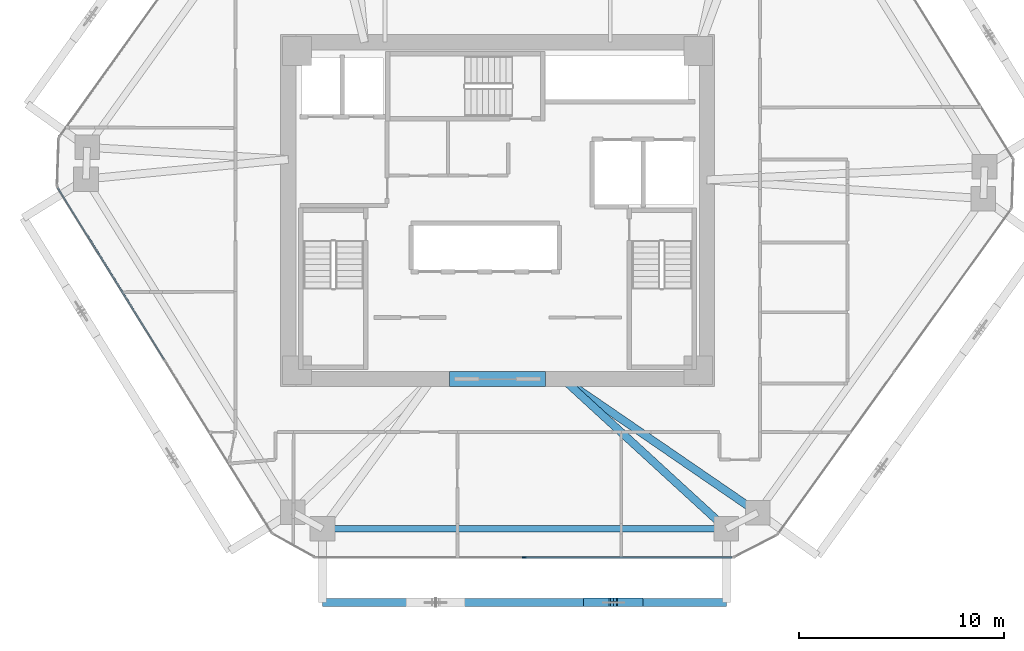
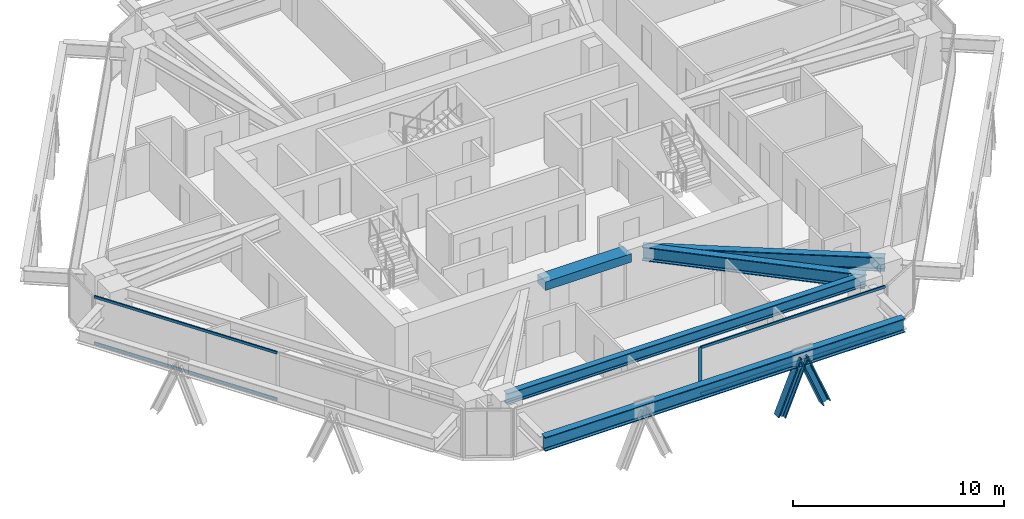
# One storey, part 3 of 17: 7 members, 5 beams, 2 elements without a shape of their own.
"""IFC4 building model written with IfcOpenShell, lengths in metres."""

from ifc_helpers import new_model, si_unit, direction, frame, origin, origin_2d, place, context, subcontext, project, spatial, rectangle, i_section, extrude, source, transform, mapped, material, layer, layer_set, material_profile, profile_set, type_object, type_shapes, element, aggregate, save


model = new_model("IFC4")

# Units and contexts
model_context = context("Model", 3, precision=1e-05, world=origin(), true_north=direction((0.0, 1.0)))
body_context = subcontext(model_context, "Body", "Model", "MODEL_VIEW")
ifc_project = project(units=[si_unit("LENGTHUNIT", "METRE"), si_unit("AREAUNIT", "SQUARE_METRE"), si_unit("VOLUMEUNIT", "CUBIC_METRE"), si_unit("PLANEANGLEUNIT", "RADIAN"), si_unit("MASSUNIT", "GRAM", prefix="KILO")], contexts=[model_context])

# Site, building, storey
site_placement = place(None, origin())
site = spatial("IfcSite", under=ifc_project, at=site_placement, CompositionType="ELEMENT")
building_placement = place(site_placement, origin())
building = spatial("IfcBuilding", under=site, at=building_placement, Name="Durnholm Broadcast Tower", CompositionType="ELEMENT")
storey_placement = place(building_placement, frame((0.0, 0.0, 143.10009765625)))
storey = spatial("IfcBuildingStorey", under=building, at=storey_placement, Name="L39", CompositionType="ELEMENT", Elevation=143.10009765625)

# Beams
ifc_material_1 = material(Name="Concrete C70/85", Category="concrete")
ifc_material_profile_1 = material_profile(ifc_material_1, rectangle(XDim=0.75, YDim=0.5, at=origin_2d()), Name="RC750X500")
ifc_profile_set_1 = profile_set([ifc_material_profile_1], Name="Concrete C70/85")
beam_type_1 = type_object("IfcBeamType", Name="BM-CB-RC500", PredefinedType="LINTEL", material=ifc_profile_set_1)
shared_shape_1 = source(origin(), body_context, "Body", "SweptSolid", [
    extrude(rectangle(XDim=0.75, YDim=0.5, at=origin_2d()), origin(), (0.0, 0.0, 1.0), 4.7001953125),
])
type_shapes(beam_type_1, [shared_shape_1])
beam_1_placement = place(storey_placement, frame((-2.35009765625, -8.22509765625, 2.5048828125), z_axis=(1.0, 0.0, 0.0), x_axis=(0.0, 1.0, 0.0)))
element("IfcBeam", 1, at=beam_1_placement, inside=storey, type_object=beam_type_1, Name="L39 south core coupling lintel beam CB-S", PredefinedType="LINTEL", context=body_context, shape_type="MappedRepresentation", body=[
    mapped(shared_shape_1, transform((0.0, 0.0, 0.0), x_axis=(1.0, 0.0, 0.0), y_axis=(0.0, 1.0, 0.0), z_axis=(0.0, 0.0, 1.0), scale=1.0)),
])
ifc_material_2 = material(Name="Steel ASTM A992 Grade 50", Category="steel")
ifc_material_profile_2 = material_profile(ifc_material_2, i_section(OverallWidth=0.3291015625, OverallDepth=0.635009765625, WebThickness=0.017822265625, FlangeThickness=0.031005859375, FilletRadius=0.02783203125, at=origin_2d()), Name="W24X162")
ifc_profile_set_2 = profile_set([ifc_material_profile_2], Name="Steel ASTM A992 Grade 50")
beam_type_2 = type_object("IfcBeamType", Name="STL-SP-W24X162", PredefinedType="SPANDREL", material=ifc_profile_set_2)
shared_shape_2 = source(origin(), body_context, "Body", "SweptSolid", [
    extrude(i_section(OverallWidth=0.3291015625, OverallDepth=0.635009765625, WebThickness=0.017822265625, FlangeThickness=0.031005859375, FilletRadius=0.02783203125, at=origin_2d()), origin(), (0.0, 0.0, 1.0), 19.72802734375),
])
type_shapes(beam_type_2, [shared_shape_2])
beam_2_placement = place(storey_placement, frame((11.176025390625, -15.537109375, 2.427490234375), z_axis=(-1.0, 0.0, 0.0), x_axis=(0.0, -1.0, 0.0)))
element("IfcBeam", 2, at=beam_2_placement, inside=storey, type_object=beam_type_2, Name="L39 perimeter spandrel girder 11", PredefinedType="SPANDREL", context=body_context, shape_type="MappedRepresentation", body=[
    mapped(shared_shape_2, transform((0.0, 0.0, 0.0), x_axis=(1.0, 0.0, 0.0), y_axis=(0.0, 1.0, 0.0), z_axis=(0.0, 0.0, 1.0), scale=1.0)),
])
ifc_material_profile_3 = material_profile(ifc_material_2, i_section(OverallWidth=0.385009765625, OverallDepth=0.802978515625, WebThickness=0.023681640625, FlangeThickness=0.0419921875, FilletRadius=0.032958984375, at=origin_2d()), Name="W30X261")
ifc_profile_set_3 = profile_set([ifc_material_profile_3], Name="Steel ASTM A992 Grade 50")
beam_type_3 = type_object("IfcBeamType", Name="STL-GR-W30X261", PredefinedType="USERDEFINED", material=ifc_profile_set_3)
shared_shape_3 = source(origin(), body_context, "Body", "SweptSolid", [
    extrude(i_section(OverallWidth=0.385009765625, OverallDepth=0.802978515625, WebThickness=0.023681640625, FlangeThickness=0.0419921875, FilletRadius=0.032958984375, at=origin_2d()), origin(), (0.0, 0.0, 1.0), 11.533447265625),
])
beam_3_placement = place(storey_placement, frame((3.199951171875, -8.22509765625, 2.343505859375), z_axis=(0.824567182461, -0.565764051181, 0.0), x_axis=(0.565764051181, 0.824567182461, 0.0)))
element("IfcBeam", 3, at=beam_3_placement, inside=storey, type_object=beam_type_3, Name="L39 radial primary floor girder 10", ObjectType="GIRDER", PredefinedType="USERDEFINED", context=body_context, shape_type="MappedRepresentation", body=[
    mapped(shared_shape_3, transform((0.0, 0.0, 0.0), x_axis=(1.0, 0.0, 0.0), y_axis=(0.0, 1.0, 0.0), z_axis=(0.0, 0.0, 1.0), scale=1.0)),
])
shared_shape_4 = source(origin(), body_context, "Body", "SweptSolid", [
    extrude(i_section(OverallWidth=0.385009765625, OverallDepth=0.802978515625, WebThickness=0.023681640625, FlangeThickness=0.0419921875, FilletRadius=0.032958984375, at=origin_2d()), origin(), (0.0, 0.0, 1.0), 10.820556640625),
])
type_shapes(beam_type_3, [shared_shape_3, shared_shape_4])
beam_4_placement = place(storey_placement, frame((3.199951171875, -8.22509765625, 2.343505859375), z_axis=(0.737126042516, -0.675755279258, 0.0), x_axis=(0.675755279258, 0.737126042516, 0.0)))
element("IfcBeam", 4, at=beam_4_placement, inside=storey, type_object=beam_type_3, Name="L39 radial primary floor girder 11", ObjectType="GIRDER", PredefinedType="USERDEFINED", context=body_context, shape_type="MappedRepresentation", body=[
    mapped(shared_shape_4, transform((0.0, 0.0, 0.0), x_axis=(1.0, 0.0, 0.0), y_axis=(0.0, 1.0, 0.0), z_axis=(0.0, 0.0, 1.0), scale=1.0)),
])
ifc_material_profile_4 = material_profile(ifc_material_2, i_section(OverallWidth=0.385009765625, OverallDepth=0.802978515625, WebThickness=0.023681640625, FlangeThickness=0.0419921875, FilletRadius=0.032958984375, at=origin_2d()), Name="W30X261")
ifc_profile_set_4 = profile_set([ifc_material_profile_4], Name="Steel ASTM A992 Grade 50")
beam_type_4 = type_object("IfcBeamType", Name="BM-EXO-TIE", PredefinedType="USERDEFINED", material=ifc_profile_set_4)
shared_shape_5 = source(origin(), body_context, "Body", "SweptSolid", [
    extrude(i_section(OverallWidth=0.385009765625, OverallDepth=0.802978515625, WebThickness=0.023681640625, FlangeThickness=0.0419921875, FilletRadius=0.032958984375, at=origin_2d()), origin(), (0.0, 0.0, 1.0), 19.72802734375),
])
type_shapes(beam_type_4, [shared_shape_5])
beam_5_placement = place(storey_placement, frame((-8.552001953125, -19.136962890625, 2.008544921875), z_axis=(1.0, 0.0, 0.0), x_axis=(0.0, 1.0, 0.0)))
element("IfcBeam", 5, at=beam_5_placement, inside=storey, type_object=beam_type_4, Name="L39 exoskeleton collector spandrel F1", PredefinedType="SPANDREL", context=body_context, shape_type="MappedRepresentation", body=[
    mapped(shared_shape_5, transform((0.0, 0.0, 0.0), x_axis=(1.0, 0.0, 0.0), y_axis=(0.0, 1.0, 0.0), z_axis=(0.0, 0.0, 1.0), scale=1.0)),
])

# Members
ifc_material_3 = material(Name="Steel ASTM A913 Grade 65", Category="steel")
ifc_material_profile_5 = material_profile(ifc_material_3, i_section(OverallWidth=0.41845703125, OverallDepth=0.455078125, WebThickness=0.0419921875, FlangeThickness=0.067626953125, FilletRadius=0.030517578125, at=origin_2d()), Name="W14X370")
ifc_profile_set_5 = profile_set([ifc_material_profile_5], Name="Steel ASTM A913 Grade 65")
member_type_1 = type_object("IfcMemberType", Name="STL-DG-W14X370", PredefinedType="BRACE", material=ifc_profile_set_5)
shared_shape_6 = source(origin(), body_context, "Body", "SweptSolid", [
    extrude(i_section(OverallWidth=0.41845703125, OverallDepth=0.455078125, WebThickness=0.0419921875, FlangeThickness=0.067626953125, FilletRadius=0.030517578125, at=origin_2d()), origin(), (0.0, 0.0, 1.0), 3.243896484375),
])
member_1_placement = place(storey_placement, frame((4.41845703125, -19.136962890625, -0.991455078125), z_axis=(0.380378804119, 0.0, 0.924830776616), x_axis=(0.0, 1.0, 0.0)))
element("IfcMember", 6, at=member_1_placement, inside=storey, type_object=member_type_1, Name="L39 stand-off diagrid brace F1.D2.1", PredefinedType="BRACE", context=body_context, shape_type="MappedRepresentation", body=[
    mapped(shared_shape_6, transform((0.0, 0.0, 0.0), x_axis=(1.0, 0.0, 0.0), y_axis=(0.0, 1.0, 0.0), z_axis=(0.0, 0.0, 1.0), scale=1.0)),
])
shared_shape_7 = source(origin(), body_context, "Body", "SweptSolid", [
    extrude(i_section(OverallWidth=0.41845703125, OverallDepth=0.455078125, WebThickness=0.0419921875, FlangeThickness=0.067626953125, FilletRadius=0.030517578125, at=origin_2d()), origin(), (0.0, 0.0, 1.0), 3.24365234375),
])
type_shapes(member_type_1, [shared_shape_6, shared_shape_7])
member_2_placement = place(storey_placement, frame((6.885986328125, -19.136962890625, -0.991455078125), z_axis=(-0.380314428078, 0.0, 0.924857251578), x_axis=(0.0, -1.0, 0.0)))
element("IfcMember", 7, at=member_2_placement, inside=storey, type_object=member_type_1, Name="L39 stand-off diagrid brace F1.D2.2", PredefinedType="BRACE", context=body_context, shape_type="MappedRepresentation", body=[
    mapped(shared_shape_7, transform((0.0, 0.0, 0.0), x_axis=(1.0, 0.0, 0.0), y_axis=(0.0, 1.0, 0.0), z_axis=(0.0, 0.0, 1.0), scale=1.0)),
])

# Curtain wall, members
ifc_material_4 = material(Name="Aluminium and Solar Control IGU", Category="aluminium")
ifc_layer = layer(ifc_material_4, 0.18994140625)
ifc_layer_set = layer_set([ifc_layer], Name="Aluminium and Solar Control IGU")
curtain_wall_type = type_object("IfcCurtainWallType", Name="CW-SYS-3", PredefinedType="NOTDEFINED", material=ifc_layer_set)
curtain_wall_1_placement = place(storey_placement, origin())
curtain_wall_1 = element("IfcCurtainWall", 8, at=curtain_wall_1_placement, inside=storey, type_object=curtain_wall_type, Name="L39 curtain wall CW-Z12-VIS CW-L39-F10", PredefinedType="NOTDEFINED")
ifc_material_5 = material(Name="Aluminium 6063-T6", Category="aluminium")
ifc_material_profile_6 = material_profile(ifc_material_5, rectangle(XDim=0.070068359375, YDim=0.18994140625, at=origin_2d()), Name="CWM70X190")
ifc_profile_set_6 = profile_set([ifc_material_profile_6], Name="Aluminium 6063-T6")
member_type_2 = type_object("IfcMemberType", Name="CW-SYS-3-MUL", PredefinedType="MULLION", material=ifc_profile_set_6)
shared_shape_8 = source(origin(), body_context, "Body", "SweptSolid", [
    extrude(rectangle(XDim=0.070068359375, YDim=0.18994140625, at=origin_2d()), origin(), (0.0, 0.0, 1.0), 2.760009765625),
])
type_shapes(member_type_2, [shared_shape_8])
member_3_placement = place(storey_placement, frame((1.299560546875, -16.93701171875, 0.0), z_axis=(0.0, 0.0, 1.0), x_axis=(0.0, -1.0, 0.0)))
member_3 = element("IfcMember", 9, at=member_3_placement, type_object=member_type_2, Name="CW-Z12-VIS mullion 2", PredefinedType="MULLION", context=body_context, shape_type="MappedRepresentation", body=[
    mapped(shared_shape_8, transform((0.0, 0.0, 0.0), x_axis=(1.0, 0.0, 0.0), y_axis=(0.0, 1.0, 0.0), z_axis=(0.0, 0.0, 1.0), scale=1.0)),
])
ifc_material_profile_7 = material_profile(ifc_material_5, rectangle(XDim=0.070068359375, YDim=0.14990234375, at=origin_2d()), Name="CWT70X150")
ifc_profile_set_7 = profile_set([ifc_material_profile_7], Name="Aluminium 6063-T6")
member_type_3 = type_object("IfcMemberType", Name="CW-SYS-3-TRN", PredefinedType="USERDEFINED", material=ifc_profile_set_7)
shared_shape_9 = source(origin(), body_context, "Body", "SweptSolid", [
    extrude(rectangle(XDim=0.070068359375, YDim=0.14990234375, at=origin_2d()), origin(), (0.0, 0.0, 1.0), 10.109619140625),
])
member_4_placement = place(storey_placement, frame((11.444091796875, -16.93701171875, 0.034912109375), z_axis=(-1.0, 0.0, 0.0), x_axis=(0.0, -1.0, 0.0)))
member_4 = element("IfcMember", 10, at=member_4_placement, type_object=member_type_3, Name="CW-Z12-VIS transom 1.1", ObjectType="TRANSOM", PredefinedType="USERDEFINED", context=body_context, shape_type="MappedRepresentation", body=[
    mapped(shared_shape_9, transform((0.0, 0.0, 0.0), x_axis=(1.0, 0.0, 0.0), y_axis=(0.0, 1.0, 0.0), z_axis=(0.0, 0.0, 1.0), scale=1.0)),
])
member_5_placement = place(storey_placement, frame((11.444091796875, -16.93701171875, 2.724853515625), z_axis=(-1.0, 0.0, 0.0), x_axis=(0.0, -1.0, 0.0)))
member_5 = element("IfcMember", 11, at=member_5_placement, type_object=member_type_3, Name="CW-Z12-VIS transom 1.2", ObjectType="TRANSOM", PredefinedType="USERDEFINED", context=body_context, shape_type="MappedRepresentation", body=[
    mapped(shared_shape_9, transform((0.0, 0.0, 0.0), x_axis=(1.0, 0.0, 0.0), y_axis=(0.0, 1.0, 0.0), z_axis=(0.0, 0.0, 1.0), scale=1.0)),
])
aggregate(curtain_wall_1, [member_3, member_4, member_5])

curtain_wall_2_placement = place(storey_placement, origin())
curtain_wall_2 = element("IfcCurtainWall", 12, at=curtain_wall_2_placement, inside=storey, type_object=curtain_wall_type, Name="L39 curtain wall CW-Z12-VIS CW-L39-F12", PredefinedType="NOTDEFINED")
shared_shape_10 = source(origin(), body_context, "Body", "SweptSolid", [
    extrude(rectangle(XDim=0.070068359375, YDim=0.14990234375, at=origin_2d()), origin(), (0.0, 0.0, 1.0), 9.85888671875),
])
type_shapes(member_type_3, [shared_shape_9, shared_shape_10])
member_6_placement = place(storey_placement, frame((-16.28271484375, -7.27294921875, 0.034912109375), z_axis=(-0.527119964735, 0.849790881793, 0.0), x_axis=(-0.849790881793, -0.527119964735, 0.0)))
member_6 = element("IfcMember", 13, at=member_6_placement, type_object=member_type_3, Name="CW-Z12-VIS transom 2.1", ObjectType="TRANSOM", PredefinedType="USERDEFINED", context=body_context, shape_type="MappedRepresentation", body=[
    mapped(shared_shape_10, transform((0.0, 0.0, 0.0), x_axis=(1.0, 0.0, 0.0), y_axis=(0.0, 1.0, 0.0), z_axis=(0.0, 0.0, 1.0), scale=1.0)),
])
member_7_placement = place(storey_placement, frame((-16.28271484375, -7.27294921875, 2.724853515625), z_axis=(-0.527119964735, 0.849790881793, 0.0), x_axis=(-0.849790881793, -0.527119964735, 0.0)))
member_7 = element("IfcMember", 14, at=member_7_placement, type_object=member_type_3, Name="CW-Z12-VIS transom 2.2", ObjectType="TRANSOM", PredefinedType="USERDEFINED", context=body_context, shape_type="MappedRepresentation", body=[
    mapped(shared_shape_10, transform((0.0, 0.0, 0.0), x_axis=(1.0, 0.0, 0.0), y_axis=(0.0, 1.0, 0.0), z_axis=(0.0, 0.0, 1.0), scale=1.0)),
])
aggregate(curtain_wall_2, [member_6, member_7])

save(model, "model.ifc")
